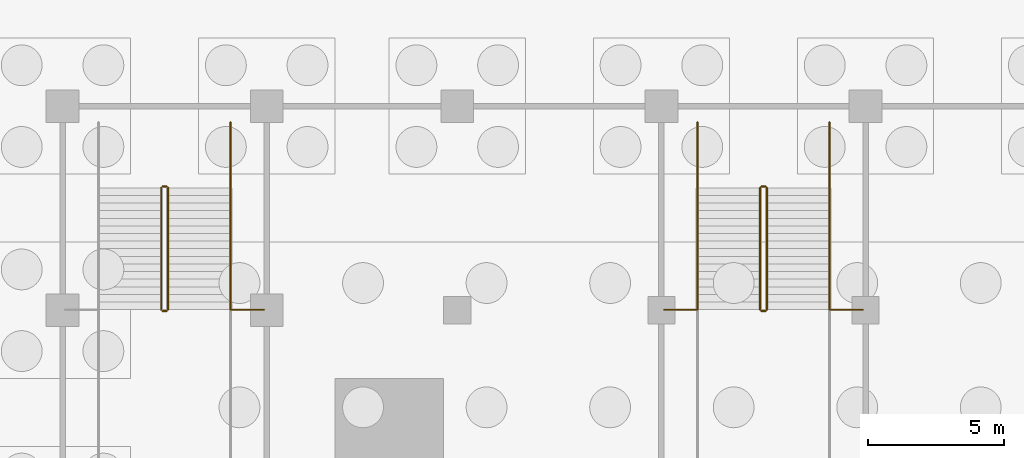
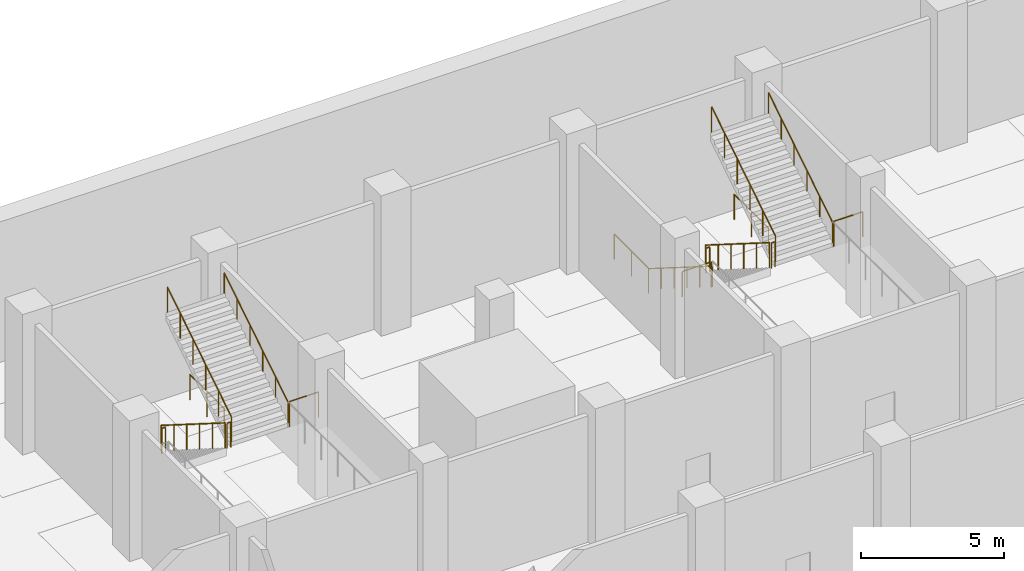
# One storey, part 32 of 39: 17 railings.
"""IFC4 building model written with IfcOpenShell, lengths in metres."""

from ifc_helpers import new_model, si_unit, direction, frame, origin, origin_2d, place, context, subcontext, project, spatial, circle, extrude, material, type_object, element, save


model = new_model("IFC4")

# Units and contexts
model_context = context("Model", 3, precision=1e-05, world=origin(), true_north=direction((0.0, 1.0)))
body_context = subcontext(model_context, "Body", "Model", "MODEL_VIEW")
ifc_project = project(units=[si_unit("LENGTHUNIT", "METRE"), si_unit("AREAUNIT", "SQUARE_METRE"), si_unit("VOLUMEUNIT", "CUBIC_METRE"), si_unit("PLANEANGLEUNIT", "RADIAN"), si_unit("MASSUNIT", "GRAM", prefix="KILO")], contexts=[model_context])

# Site, building, storey
site_placement = place(None, origin())
site = spatial("IfcSite", under=ifc_project, at=site_placement, CompositionType="ELEMENT")
building_placement = place(site_placement, origin())
building = spatial("IfcBuilding", under=site, at=building_placement, Name="Tamorin Gate", CompositionType="ELEMENT")
storey_placement = place(building_placement, frame((0.0, 0.0, -12.0)))
storey = spatial("IfcBuildingStorey", under=building, at=storey_placement, Name="B2", CompositionType="ELEMENT", Elevation=-12.0)

# Railings
ifc_material = material(Name="Steel", Category="steel")
railing_type_1 = type_object("IfcRailingType", Name="Podium guard 1100", PredefinedType="GUARDRAIL", material=ifc_material)
railing_1_placement = place(storey_placement, frame((26.625, 109.0, 0.176513671875)))
element("IfcRailing", 1, at=railing_1_placement, inside=storey, type_object=railing_type_1, Name="B2 SB2 stair guard 1", PredefinedType="GUARDRAIL", context=body_context, shape_type="SweptSolid", body=[
    extrude(circle(Radius=0.02392578125, at=origin_2d()), frame((0.0, 0.0, 1.076171875), z_axis=(0.0, -0.845997938375, 0.533186166611), x_axis=(1.0, 0.0, 0.0)), (0.0, 0.0, 1.0), 5.29541015625),
    extrude(circle(Radius=0.02099609375, at=origin_2d()), origin(), (0.0, 0.0, 1.0), 1.052001953125),
    extrude(circle(Radius=0.02099609375, at=origin_2d()), frame((0.0, -0.89599609375, 0.564697265625)), (0.0, 0.0, 1.0), 1.052001953125),
    extrude(circle(Radius=0.02099609375, at=origin_2d()), frame((0.0, -1.7919921875, 1.12939453125)), (0.0, 0.0, 1.0), 1.052001953125),
    extrude(circle(Radius=0.02099609375, at=origin_2d()), frame((0.0, -2.68798828125, 1.694091796875)), (0.0, 0.0, 1.0), 1.052001953125),
    extrude(circle(Radius=0.02099609375, at=origin_2d()), frame((0.0, -3.583984375, 2.2587890625)), (0.0, 0.0, 1.0), 1.052001953125),
    extrude(circle(Radius=0.02099609375, at=origin_2d()), frame((0.0, -4.47998046875, 2.823486328125)), (0.0, 0.0, 1.0), 1.052001953125),
])
railing_2_placement = place(storey_placement, frame((26.675048828125, 104.469970703125, 3.0)))
element("IfcRailing", 2, at=railing_2_placement, inside=storey, type_object=railing_type_1, Name="B2 SB2 stair guard 2", PredefinedType="GUARDRAIL", context=body_context, shape_type="SweptSolid", body=[
    extrude(circle(Radius=0.02392578125, at=origin_2d()), frame((0.0, 0.0, 1.076171875), z_axis=(1.0, 0.0, 0.0), x_axis=(0.0, 1.0, 0.0)), (0.0, 0.0, 1.0), 0.14990234375),
    extrude(circle(Radius=0.02099609375, at=origin_2d()), origin(), (0.0, 0.0, 1.0), 1.052001953125),
    extrude(circle(Radius=0.02099609375, at=origin_2d()), frame((0.14990234375, 0.0, 0.0)), (0.0, 0.0, 1.0), 1.052001953125),
])
railing_3_placement = place(storey_placement, frame((26.875, 104.52001953125, 3.176513671875)))
element("IfcRailing", 3, at=railing_3_placement, inside=storey, type_object=railing_type_1, Name="B2 SB2 stair guard 6", PredefinedType="GUARDRAIL", context=body_context, shape_type="SweptSolid", body=[
    extrude(circle(Radius=0.02392578125, at=origin_2d()), frame((0.0, 0.0, 1.076171875), z_axis=(0.0, 0.845997938375, 0.533186166611), x_axis=(-1.0, 0.0, 0.0)), (0.0, 0.0, 1.0), 5.29541015625),
    extrude(circle(Radius=0.02099609375, at=origin_2d()), origin(), (0.0, 0.0, 1.0), 1.052001953125),
    extrude(circle(Radius=0.02099609375, at=origin_2d()), frame((0.0, 0.89599609375, 0.564697265625)), (0.0, 0.0, 1.0), 1.052001953125),
    extrude(circle(Radius=0.02099609375, at=origin_2d()), frame((0.0, 1.7919921875, 1.12939453125)), (0.0, 0.0, 1.0), 1.052001953125),
    extrude(circle(Radius=0.02099609375, at=origin_2d()), frame((0.0, 2.68798828125, 1.694091796875)), (0.0, 0.0, 1.0), 1.052001953125),
    extrude(circle(Radius=0.02099609375, at=origin_2d()), frame((0.0, 3.583984375, 2.2587890625)), (0.0, 0.0, 1.0), 1.052001953125),
    extrude(circle(Radius=0.02099609375, at=origin_2d()), frame((0.0, 4.47998046875, 2.823486328125)), (0.0, 0.0, 1.0), 1.052001953125),
])
railing_4_placement = place(storey_placement, frame((26.675048828125, 109.050048828125, 0.0)))
element("IfcRailing", 4, at=railing_4_placement, inside=storey, type_object=railing_type_1, Name="B2 SB2 stair guard 7", PredefinedType="GUARDRAIL", context=body_context, shape_type="SweptSolid", body=[
    extrude(circle(Radius=0.02392578125, at=origin_2d()), frame((0.0, 0.0, 1.076171875), z_axis=(1.0, 0.0, 0.0), x_axis=(0.0, 1.0, 0.0)), (0.0, 0.0, 1.0), 0.14990234375),
    extrude(circle(Radius=0.02099609375, at=origin_2d()), origin(), (0.0, 0.0, 1.0), 1.052001953125),
    extrude(circle(Radius=0.02099609375, at=origin_2d()), frame((0.14990234375, 0.0, 0.0)), (0.0, 0.0, 1.0), 1.052001953125),
])
railing_5_placement = place(storey_placement, frame((29.175048828125, 111.39990234375, 0.0)))
element("IfcRailing", 5, at=railing_5_placement, inside=storey, type_object=railing_type_1, Name="B2 SB2 stair guard 9", PredefinedType="GUARDRAIL", context=body_context, shape_type="SweptSolid", body=[
    extrude(circle(Radius=0.02392578125, at=origin_2d()), frame((0.0, 0.0, 1.076171875), z_axis=(0.0, -1.0, 0.0), x_axis=(1.0, 0.0, 0.0)), (0.0, 0.0, 1.0), 2.39990234375),
    extrude(circle(Radius=0.02099609375, at=origin_2d()), origin(), (0.0, 0.0, 1.0), 1.052001953125),
    extrude(circle(Radius=0.02099609375, at=origin_2d()), frame((0.0, -1.199951171875, 0.0)), (0.0, 0.0, 1.0), 1.052001953125),
    extrude(circle(Radius=0.02099609375, at=origin_2d()), frame((0.0, -2.39990234375, 0.0)), (0.0, 0.0, 1.0), 1.052001953125),
])
railing_6_placement = place(storey_placement, frame((29.22509765625, 104.52001953125, 3.0)))
element("IfcRailing", 6, at=railing_6_placement, inside=storey, type_object=railing_type_1, Name="Landing edge guard", PredefinedType="GUARDRAIL", context=body_context, shape_type="SweptSolid", body=[
    extrude(circle(Radius=0.02392578125, at=origin_2d()), frame((0.0, 0.0, 1.076171875), z_axis=(1.0, 0.0, 0.0), x_axis=(0.0, 1.0, 0.0)), (0.0, 0.0, 1.0), 1.1748046875),
    extrude(circle(Radius=0.02099609375, at=origin_2d()), origin(), (0.0, 0.0, 1.0), 1.052001953125),
    extrude(circle(Radius=0.02099609375, at=origin_2d()), frame((1.1748046875, 0.0, 0.0)), (0.0, 0.0, 1.0), 1.052001953125),
])
railing_7_placement = place(storey_placement, frame((48.625, 109.0, 0.176513671875)))
element("IfcRailing", 7, at=railing_7_placement, inside=storey, type_object=railing_type_1, Name="B2 SB3 stair guard 1", PredefinedType="GUARDRAIL", context=body_context, shape_type="SweptSolid", body=[
    extrude(circle(Radius=0.02392578125, at=origin_2d()), frame((0.0, 0.0, 1.076171875), z_axis=(0.0, -0.845997938375, 0.533186166611), x_axis=(1.0, 0.0, 0.0)), (0.0, 0.0, 1.0), 5.29541015625),
    extrude(circle(Radius=0.02099609375, at=origin_2d()), origin(), (0.0, 0.0, 1.0), 1.052001953125),
    extrude(circle(Radius=0.02099609375, at=origin_2d()), frame((0.0, -0.89599609375, 0.564697265625)), (0.0, 0.0, 1.0), 1.052001953125),
    extrude(circle(Radius=0.02099609375, at=origin_2d()), frame((0.0, -1.7919921875, 1.12939453125)), (0.0, 0.0, 1.0), 1.052001953125),
    extrude(circle(Radius=0.02099609375, at=origin_2d()), frame((0.0, -2.68798828125, 1.694091796875)), (0.0, 0.0, 1.0), 1.052001953125),
    extrude(circle(Radius=0.02099609375, at=origin_2d()), frame((0.0, -3.583984375, 2.2587890625)), (0.0, 0.0, 1.0), 1.052001953125),
    extrude(circle(Radius=0.02099609375, at=origin_2d()), frame((0.0, -4.47998046875, 2.823486328125)), (0.0, 0.0, 1.0), 1.052001953125),
])
railing_8_placement = place(storey_placement, frame((48.675048828125, 104.469970703125, 3.0)))
element("IfcRailing", 8, at=railing_8_placement, inside=storey, type_object=railing_type_1, Name="B2 SB3 stair guard 2", PredefinedType="GUARDRAIL", context=body_context, shape_type="SweptSolid", body=[
    extrude(circle(Radius=0.02392578125, at=origin_2d()), frame((0.0, 0.0, 1.076171875), z_axis=(1.0, 0.0, 0.0), x_axis=(0.0, 1.0, 0.0)), (0.0, 0.0, 1.0), 0.14990234375),
    extrude(circle(Radius=0.02099609375, at=origin_2d()), origin(), (0.0, 0.0, 1.0), 1.052001953125),
    extrude(circle(Radius=0.02099609375, at=origin_2d()), frame((0.14990234375, 0.0, 0.0)), (0.0, 0.0, 1.0), 1.052001953125),
])
railing_9_placement = place(storey_placement, frame((48.875, 104.52001953125, 3.176513671875)))
element("IfcRailing", 9, at=railing_9_placement, inside=storey, type_object=railing_type_1, Name="B2 SB3 stair guard 6", PredefinedType="GUARDRAIL", context=body_context, shape_type="SweptSolid", body=[
    extrude(circle(Radius=0.02392578125, at=origin_2d()), frame((0.0, 0.0, 1.076171875), z_axis=(0.0, 0.845997938375, 0.533186166611), x_axis=(-1.0, 0.0, 0.0)), (0.0, 0.0, 1.0), 5.29541015625),
    extrude(circle(Radius=0.02099609375, at=origin_2d()), origin(), (0.0, 0.0, 1.0), 1.052001953125),
    extrude(circle(Radius=0.02099609375, at=origin_2d()), frame((0.0, 0.89599609375, 0.564697265625)), (0.0, 0.0, 1.0), 1.052001953125),
    extrude(circle(Radius=0.02099609375, at=origin_2d()), frame((0.0, 1.7919921875, 1.12939453125)), (0.0, 0.0, 1.0), 1.052001953125),
    extrude(circle(Radius=0.02099609375, at=origin_2d()), frame((0.0, 2.68798828125, 1.694091796875)), (0.0, 0.0, 1.0), 1.052001953125),
    extrude(circle(Radius=0.02099609375, at=origin_2d()), frame((0.0, 3.583984375, 2.2587890625)), (0.0, 0.0, 1.0), 1.052001953125),
    extrude(circle(Radius=0.02099609375, at=origin_2d()), frame((0.0, 4.47998046875, 2.823486328125)), (0.0, 0.0, 1.0), 1.052001953125),
])
railing_10_placement = place(storey_placement, frame((48.675048828125, 109.050048828125, 0.0)))
element("IfcRailing", 10, at=railing_10_placement, inside=storey, type_object=railing_type_1, Name="B2 SB3 stair guard 7", PredefinedType="GUARDRAIL", context=body_context, shape_type="SweptSolid", body=[
    extrude(circle(Radius=0.02392578125, at=origin_2d()), frame((0.0, 0.0, 1.076171875), z_axis=(1.0, 0.0, 0.0), x_axis=(0.0, 1.0, 0.0)), (0.0, 0.0, 1.0), 0.14990234375),
    extrude(circle(Radius=0.02099609375, at=origin_2d()), origin(), (0.0, 0.0, 1.0), 1.052001953125),
    extrude(circle(Radius=0.02099609375, at=origin_2d()), frame((0.14990234375, 0.0, 0.0)), (0.0, 0.0, 1.0), 1.052001953125),
])
for number, where, name in (
    (11, (46.324951171875, 111.39990234375, 0.0), "B2 SB3 stair guard 8"),
    (12, (51.175048828125, 111.39990234375, 0.0), "B2 SB3 stair guard 9"),
):
    element("IfcRailing", number, at=place(storey_placement, frame(where)), inside=storey, type_object=railing_type_1, Name=name, PredefinedType="GUARDRAIL", context=body_context, shape_type="SweptSolid", body=[
        extrude(circle(Radius=0.02392578125, at=origin_2d()), frame((0.0, 0.0, 1.076171875), z_axis=(0.0, -1.0, 0.0), x_axis=(1.0, 0.0, 0.0)), (0.0, 0.0, 1.0), 2.39990234375),
        extrude(circle(Radius=0.02099609375, at=origin_2d()), origin(), (0.0, 0.0, 1.0), 1.052001953125),
        extrude(circle(Radius=0.02099609375, at=origin_2d()), frame((0.0, -1.199951171875, 0.0)), (0.0, 0.0, 1.0), 1.052001953125),
        extrude(circle(Radius=0.02099609375, at=origin_2d()), frame((0.0, -2.39990234375, 0.0)), (0.0, 0.0, 1.0), 1.052001953125),
    ])
for number, where, name in (
    (13, (45.10009765625, 104.52001953125, 3.0), "Landing edge guard"),
    (14, (51.22509765625, 104.52001953125, 3.0), "Landing edge guard"),
):
    element("IfcRailing", number, at=place(storey_placement, frame(where)), inside=storey, type_object=railing_type_1, Name=name, PredefinedType="GUARDRAIL", context=body_context, shape_type="SweptSolid", body=[
        extrude(circle(Radius=0.02392578125, at=origin_2d()), frame((0.0, 0.0, 1.076171875), z_axis=(1.0, 0.0, 0.0), x_axis=(0.0, 1.0, 0.0)), (0.0, 0.0, 1.0), 1.1748046875),
        extrude(circle(Radius=0.02099609375, at=origin_2d()), origin(), (0.0, 0.0, 1.0), 1.052001953125),
        extrude(circle(Radius=0.02099609375, at=origin_2d()), frame((1.1748046875, 0.0, 0.0)), (0.0, 0.0, 1.0), 1.052001953125),
    ])
railing_type_2 = type_object("IfcRailingType", Name="Podium stair handrail 900", PredefinedType="HANDRAIL", material=ifc_material)
railing_11_placement = place(storey_placement, frame((29.175048828125, 104.52001953125, 3.176513671875)))
element("IfcRailing", 15, at=railing_11_placement, inside=storey, type_object=railing_type_2, Name="B2 SB2 stair handrail 2", PredefinedType="HANDRAIL", context=body_context, shape_type="SweptSolid", body=[
    extrude(circle(Radius=0.02392578125, at=origin_2d()), frame((0.0, 0.0, 0.8759765625), z_axis=(0.0, 0.845997938375, 0.533186166611), x_axis=(-1.0, 0.0, 0.0)), (0.0, 0.0, 1.0), 5.29541015625),
    extrude(circle(Radius=0.02099609375, at=origin_2d()), origin(), (0.0, 0.0, 1.0), 0.851806640625),
    extrude(circle(Radius=0.02099609375, at=origin_2d()), frame((0.0, 0.89599609375, 0.564697265625)), (0.0, 0.0, 1.0), 0.851806640625),
    extrude(circle(Radius=0.02099609375, at=origin_2d()), frame((0.0, 1.7919921875, 1.12939453125)), (0.0, 0.0, 1.0), 0.851806640625),
    extrude(circle(Radius=0.02099609375, at=origin_2d()), frame((0.0, 2.68798828125, 1.694091796875)), (0.0, 0.0, 1.0), 0.851806640625),
    extrude(circle(Radius=0.02099609375, at=origin_2d()), frame((0.0, 3.583984375, 2.2587890625)), (0.0, 0.0, 1.0), 0.851806640625),
    extrude(circle(Radius=0.02099609375, at=origin_2d()), frame((0.0, 4.47998046875, 2.823486328125)), (0.0, 0.0, 1.0), 0.851806640625),
])
railing_12_placement = place(storey_placement, frame((46.324951171875, 109.0, 0.176513671875)))
element("IfcRailing", 16, at=railing_12_placement, inside=storey, type_object=railing_type_2, Name="B2 SB3 stair handrail 1", PredefinedType="HANDRAIL", context=body_context, shape_type="SweptSolid", body=[
    extrude(circle(Radius=0.02392578125, at=origin_2d()), frame((0.0, 0.0, 0.8759765625), z_axis=(0.0, -0.845997938375, 0.533186166611), x_axis=(1.0, 0.0, 0.0)), (0.0, 0.0, 1.0), 5.29541015625),
    extrude(circle(Radius=0.02099609375, at=origin_2d()), origin(), (0.0, 0.0, 1.0), 0.851806640625),
    extrude(circle(Radius=0.02099609375, at=origin_2d()), frame((0.0, -0.89599609375, 0.564697265625)), (0.0, 0.0, 1.0), 0.851806640625),
    extrude(circle(Radius=0.02099609375, at=origin_2d()), frame((0.0, -1.7919921875, 1.12939453125)), (0.0, 0.0, 1.0), 0.851806640625),
    extrude(circle(Radius=0.02099609375, at=origin_2d()), frame((0.0, -2.68798828125, 1.694091796875)), (0.0, 0.0, 1.0), 0.851806640625),
    extrude(circle(Radius=0.02099609375, at=origin_2d()), frame((0.0, -3.583984375, 2.2587890625)), (0.0, 0.0, 1.0), 0.851806640625),
    extrude(circle(Radius=0.02099609375, at=origin_2d()), frame((0.0, -4.47998046875, 2.823486328125)), (0.0, 0.0, 1.0), 0.851806640625),
])
railing_13_placement = place(storey_placement, frame((51.175048828125, 104.52001953125, 3.176513671875)))
element("IfcRailing", 17, at=railing_13_placement, inside=storey, type_object=railing_type_2, Name="B2 SB3 stair handrail 2", PredefinedType="HANDRAIL", context=body_context, shape_type="SweptSolid", body=[
    extrude(circle(Radius=0.02392578125, at=origin_2d()), frame((0.0, 0.0, 0.8759765625), z_axis=(0.0, 0.845997938375, 0.533186166611), x_axis=(-1.0, 0.0, 0.0)), (0.0, 0.0, 1.0), 5.29541015625),
    extrude(circle(Radius=0.02099609375, at=origin_2d()), origin(), (0.0, 0.0, 1.0), 0.851806640625),
    extrude(circle(Radius=0.02099609375, at=origin_2d()), frame((0.0, 0.89599609375, 0.564697265625)), (0.0, 0.0, 1.0), 0.851806640625),
    extrude(circle(Radius=0.02099609375, at=origin_2d()), frame((0.0, 1.7919921875, 1.12939453125)), (0.0, 0.0, 1.0), 0.851806640625),
    extrude(circle(Radius=0.02099609375, at=origin_2d()), frame((0.0, 2.68798828125, 1.694091796875)), (0.0, 0.0, 1.0), 0.851806640625),
    extrude(circle(Radius=0.02099609375, at=origin_2d()), frame((0.0, 3.583984375, 2.2587890625)), (0.0, 0.0, 1.0), 0.851806640625),
    extrude(circle(Radius=0.02099609375, at=origin_2d()), frame((0.0, 4.47998046875, 2.823486328125)), (0.0, 0.0, 1.0), 0.851806640625),
])

save(model, "model.ifc")
